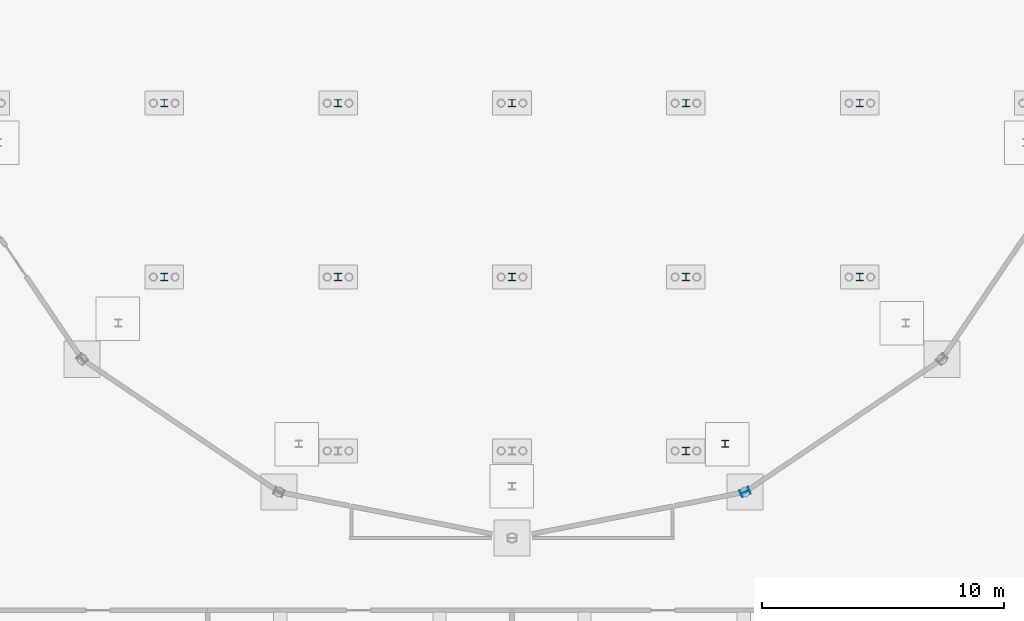
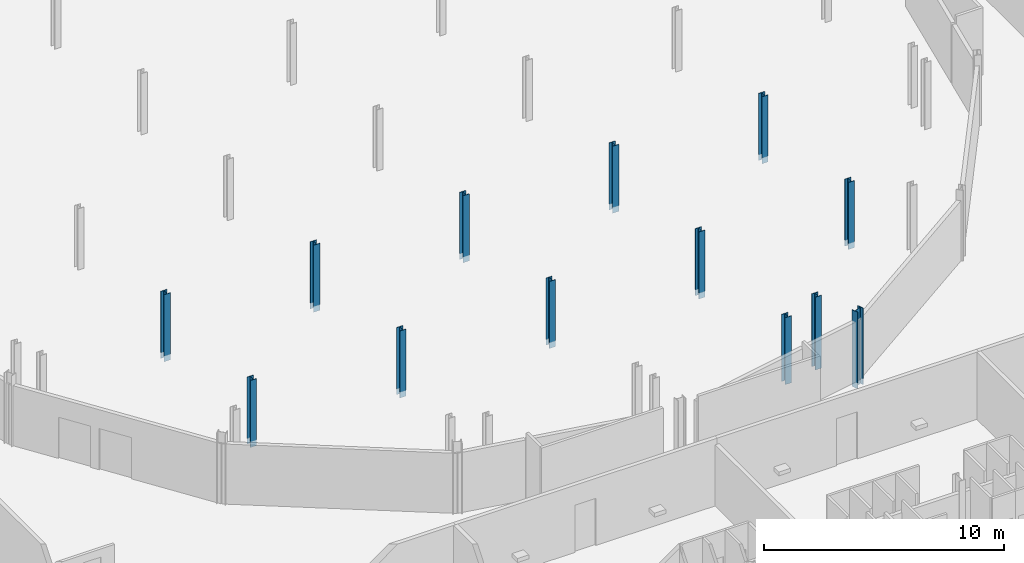
# One storey, part 45 of 148: 13 columns.
"""IFC4 building model written with IfcOpenShell, lengths in metres."""

from ifc_helpers import new_model, si_unit, direction, frame, origin, origin_2d, place, context, subcontext, project, spatial, i_section, extrude, material, material_profile, profile_set, type_object, element, save


model = new_model("IFC4")

# Units and contexts
model_context = context("Model", 3, precision=1e-05, world=origin(), true_north=direction((0.0, 1.0)))
body_context = subcontext(model_context, "Body", "Model", "MODEL_VIEW")
ifc_project = project(units=[si_unit("LENGTHUNIT", "METRE"), si_unit("AREAUNIT", "SQUARE_METRE"), si_unit("VOLUMEUNIT", "CUBIC_METRE"), si_unit("PLANEANGLEUNIT", "RADIAN"), si_unit("MASSUNIT", "GRAM", prefix="KILO")], contexts=[model_context])

# Site, building, storey
site_placement = place(None, origin())
site = spatial("IfcSite", under=ifc_project, at=site_placement, CompositionType="ELEMENT")
building_placement = place(site_placement, origin())
building = spatial("IfcBuilding", under=site, at=building_placement, Name="Kupolbacken Congress Centre", CompositionType="ELEMENT")
storey_placement = place(building_placement, origin())
storey = spatial("IfcBuildingStorey", under=building, at=storey_placement, Name="L00", CompositionType="ELEMENT", Elevation=0.0)

# Columns
ifc_material_1 = material(Name="Steel S355", Category="steel")
ifc_material_profile_1 = material_profile(ifc_material_1, i_section(OverallWidth=0.300048828125, OverallDepth=0.300048828125, WebThickness=0.010986328125, FlangeThickness=0.01904296875, FilletRadius=0.027099609375, at=origin_2d()), Name="HEB 300")
ifc_profile_set_1 = profile_set([ifc_material_profile_1], Name="Steel S355")
column_type_1 = type_object("IfcColumnType", Name="C06 column HEB 300", PredefinedType="COLUMN", material=ifc_profile_set_1)
for number, where, z_axis, x_axis, name in (
    (1, (28.800048828125, 72.0, -0.300048828125), (0.0, 0.0, 1.0), (1.0, 0.0, 0.0), "S/col/C-PL-288-720/L00"),
    (2, (28.800048828125, 79.199951171875, -0.300048828125), (0.0, 0.0, 1.0), (1.0, 0.0, 0.0), "S/col/C-PL-288-792/L00"),
    (3, (36.0, 72.0, -0.300048828125), (0.0, 0.0, 1.0), (1.0, 0.0, 0.0), "S/col/C-PL-360-720/L00"),
    (4, (36.0, 79.199951171875, -0.300048828125), (0.0, 0.0, 1.0), (1.0, 0.0, 0.0), "S/col/C-PL-360-792/L00"),
    (5, (43.199951171875, 72.0, -0.300048828125), (0.0, 0.0, 1.0), (1.0, 0.0, 0.0), "S/col/C-PL-432-720/L00"),
    (6, (43.199951171875, 79.199951171875, -0.300048828125), (0.0, 0.0, 1.0), (1.0, 0.0, 0.0), "S/col/C-PL-432-792/L00"),
    (7, (50.39990234375, 64.800048828125, -0.300048828125), (0.0, 0.0, 1.0), (1.0, 0.0, 0.0), "S/col/C-PL-504-648/L00"),
    (8, (50.39990234375, 72.0, -0.300048828125), (0.0, 0.0, 1.0), (1.0, 0.0, 0.0), "S/col/C-PL-504-720/L00"),
    (9, (50.39990234375, 79.199951171875, -0.300048828125), (0.0, 0.0, 1.0), (1.0, 0.0, 0.0), "S/col/C-PL-504-792/L00"),
    (10, (57.60009765625, 72.0, -0.300048828125), (0.0, 0.0, 1.0), (1.0, 0.0, 0.0), "S/col/C-PL-576-720/L00"),
    (11, (57.60009765625, 79.199951171875, -0.300048828125), (0.0, 0.0, 1.0), (1.0, 0.0, 0.0), "S/col/C-PL-576-792/L00"),
):
    element("IfcColumn", number, at=place(storey_placement, frame(where, z_axis=z_axis, x_axis=x_axis)), inside=storey, type_object=column_type_1, Name=name, PredefinedType="COLUMN", context=body_context, shape_type="SweptSolid", body=[
        extrude(i_section(OverallWidth=0.300048828125, OverallDepth=0.300048828125, WebThickness=0.010986328125, FlangeThickness=0.01904296875, FilletRadius=0.027099609375, at=origin_2d()), origin(), (0.0, 0.0, 1.0), 3.41015625),
    ])
column_1_placement = place(storey_placement, frame((52.024169921875, 65.096435546875, -0.300048828125), z_axis=(0.0, 0.0, 1.0), x_axis=(1.0, 0.0, 0.0)))
element("IfcColumn", 12, at=column_1_placement, inside=storey, type_object=column_type_1, Name="Plenary ring undercroft column", PredefinedType="COLUMN", context=body_context, shape_type="SweptSolid", body=[
    extrude(i_section(OverallWidth=0.300048828125, OverallDepth=0.300048828125, WebThickness=0.010986328125, FlangeThickness=0.01904296875, FilletRadius=0.027099609375, at=origin_2d()), origin(), (0.0, 0.0, 1.0), 3.7099609375),
])
ifc_material_2 = material(Name="Steel S355", Category="steel")
ifc_material_profile_2 = material_profile(ifc_material_2, i_section(OverallWidth=0.300048828125, OverallDepth=0.39990234375, WebThickness=0.013427734375, FlangeThickness=0.02392578125, FilletRadius=0.027099609375, at=origin_2d()), Name="HEB 400")
ifc_profile_set_2 = profile_set([ifc_material_profile_2], Name="Steel S355")
column_type_2 = type_object("IfcColumnType", Name="C08 column HEB 400", PredefinedType="COLUMN", material=ifc_profile_set_2)
column_2_placement = place(storey_placement, frame((52.85009765625, 63.10009765625, -0.300048828125), z_axis=(0.0, 0.0, 1.0), x_axis=(0.382643629864, -0.923896018243, 0.0)))
element("IfcColumn", 13, at=column_2_placement, inside=storey, type_object=column_type_2, Name="S/col/C-D14/L00", PredefinedType="COLUMN", context=body_context, shape_type="SweptSolid", body=[
    extrude(i_section(OverallWidth=0.300048828125, OverallDepth=0.39990234375, WebThickness=0.013427734375, FlangeThickness=0.02392578125, FilletRadius=0.027099609375, at=origin_2d()), origin(), (0.0, 0.0, 1.0), 3.900146484375),
])

save(model, "model.ifc")
